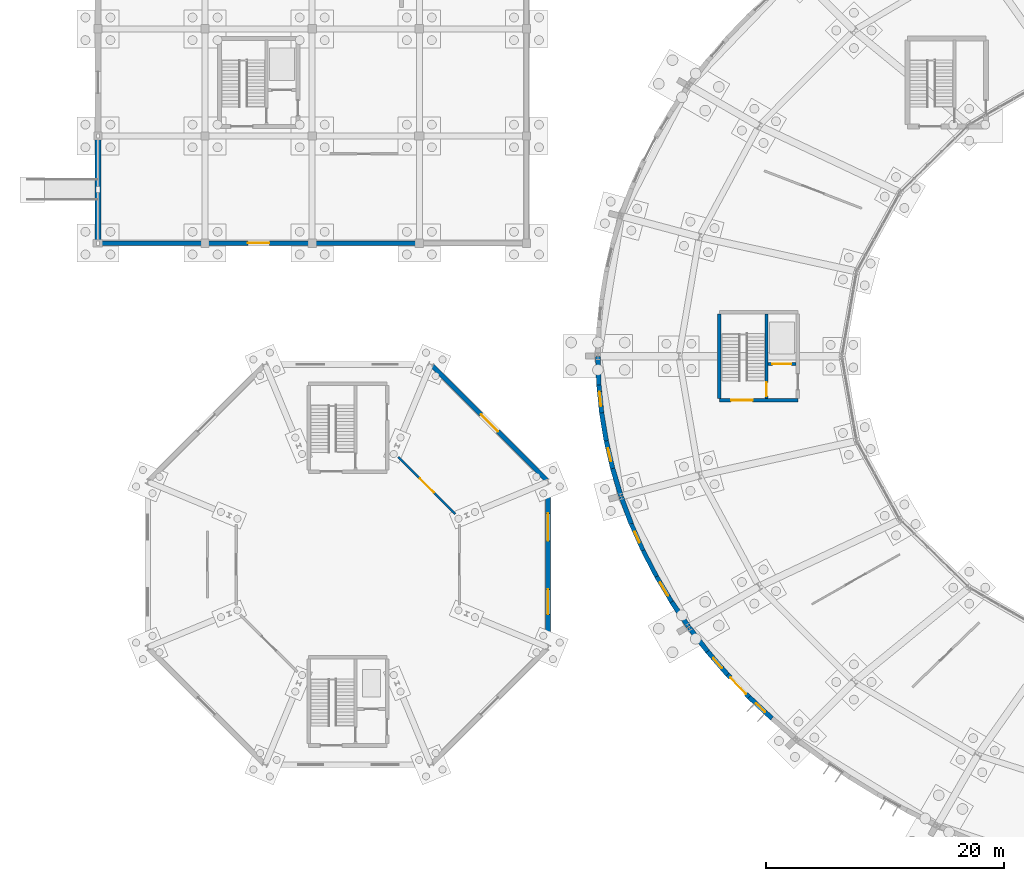
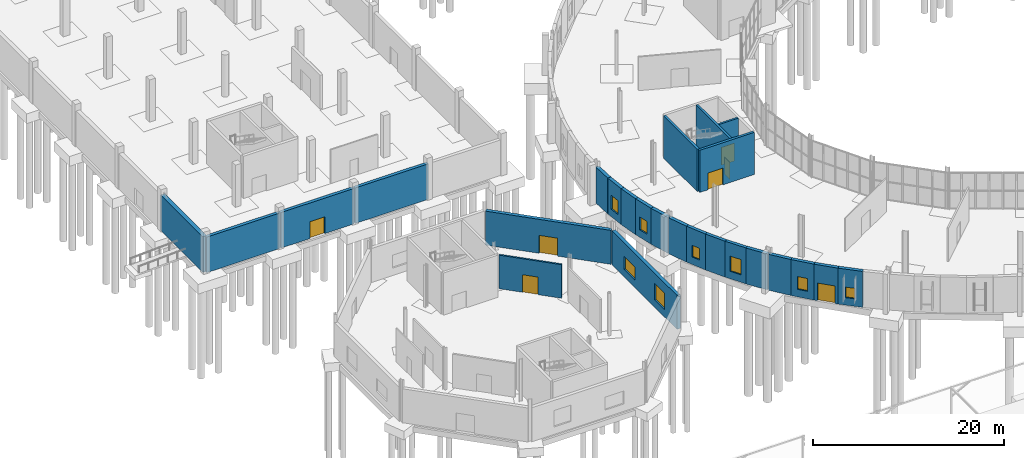
# One storey, part 87 of 118: 25 walls, 8 windows, 7 doors, 15 openings.
"""IFC4 building model written with IfcOpenShell, lengths in metres."""

from ifc_helpers import new_model, si_unit, direction, frame, frame_2d, origin, place, context, subcontext, project, spatial, rectangle, extrude, material, layer, layer_set, type_object, element, fill, save


model = new_model("IFC4")

# Units and contexts
model_context = context("Model", 3, precision=1e-05, world=origin(), true_north=direction((0.0, 1.0)))
body_context = subcontext(model_context, "Body", "Model", "MODEL_VIEW")
ifc_project = project(units=[si_unit("LENGTHUNIT", "METRE"), si_unit("AREAUNIT", "SQUARE_METRE"), si_unit("VOLUMEUNIT", "CUBIC_METRE"), si_unit("PLANEANGLEUNIT", "RADIAN"), si_unit("MASSUNIT", "GRAM", prefix="KILO")], contexts=[model_context])

# Site, building, storey
site_placement = place(None, origin())
site = spatial("IfcSite", under=ifc_project, at=site_placement, CompositionType="ELEMENT")
building_placement = place(site_placement, origin())
building = spatial("IfcBuilding", under=site, at=building_placement, Name="Kildeholm Park Wholesale Market", CompositionType="ELEMENT")
storey_placement = place(building_placement, origin())
storey = spatial("IfcBuildingStorey", under=building, at=storey_placement, Name="L00", CompositionType="ELEMENT", Elevation=0.0)

# Wall
ifc_material_1 = material(Name="Precast concrete C40/50 insulated cold-store envelope wall", Category="concrete")
ifc_layer_1 = layer(ifc_material_1, 0.3798828125)
ifc_layer_set_1 = layer_set([ifc_layer_1], Name="Precast concrete C40/50 insulated cold-store envelope wall")
wall_type_1 = type_object("IfcWallType", Name="Exterior wall W-CS1 380 mm", PredefinedType="SOLIDWALL", material=ifc_layer_set_1)
wall_1_placement = place(storey_placement, frame((0.06005859375, 99.0, 0.0), z_axis=(0.0, 0.0, 1.0), x_axis=(1.0, 0.0, 0.0)))
element("IfcWall", 1, at=wall_1_placement, inside=storey, type_object=wall_type_1, Name="Exterior wall V4WS-L00.1 WL-0401", PredefinedType="SOLIDWALL", context=body_context, shape_type="SweptSolid", body=[
    extrude(rectangle(XDim=8.8798828125, YDim=0.3798828125, at=frame_2d((4.43994140625, 0.0))), origin(), (0.0, 0.0, 1.0), 4.550048828125),
])

# Wall, opening, door
wall_2_placement = place(storey_placement, frame((9.06005859375, 99.0, 0.0), z_axis=(0.0, 0.0, 1.0), x_axis=(1.0, 0.0, 0.0)))
wall_2 = element("IfcWall", 2, at=wall_2_placement, inside=storey, type_object=wall_type_1, Name="Exterior wall V4WS-L00.2 WL-0402", PredefinedType="SOLIDWALL", context=body_context, shape_type="SweptSolid", body=[
    extrude(rectangle(XDim=8.8798828125, YDim=0.3798828125, at=frame_2d((4.43994140625, 0.0))), origin(), (0.0, 0.0, 1.0), 4.550048828125),
])
opening_1_placement = place(wall_2_placement, frame((3.5400390625, 0.0, 0.0)))
opening_1 = element("IfcOpeningElement", 3, at=opening_1_placement, cuts=wall_2, Name="Opening D-EX05", PredefinedType="OPENING", context=body_context, shape_type="SweptSolid", body=[
    extrude(rectangle(XDim=1.800048828125, YDim=2.14990234375, at=frame_2d((0.89990234375, 1.074951171875))), frame((0.0, 0.199951171875, 0.0), z_axis=(0.0, -1.0, 0.0), x_axis=(1.0, 0.0, 0.0)), (0.0, 0.0, 1.0), 0.39990234375),
])
ifc_material_2 = material(Name="Painted galvanized steel escape doorset", Category="steel")
door_type_1 = type_object("IfcDoorType", Name="Exterior door D-EX05 1800x2150", OperationType="NOTDEFINED", PredefinedType="DOOR", material=ifc_material_2)
door_1_placement = place(opening_1_placement, frame((1.800048828125, 0.0, 0.0), z_axis=(0.0, 0.0, 1.0), x_axis=(-1.0, 0.0, 0.0)))
door_1 = element("IfcDoor", 4, at=door_1_placement, inside=storey, type_object=door_type_1, Name="Door V4WS-L00.2 DR-0037 WL-0402", OperationType="DOUBLE_DOOR_SINGLE_SWING", OverallHeight=2.14990234375, OverallWidth=1.800048828125, PredefinedType="DOOR", context=body_context, shape_type="SweptSolid", body=[
    extrude(rectangle(XDim=1.800048828125, YDim=2.14990234375, at=frame_2d((0.89990234375, 1.074951171875))), frame((0.0, 0.02490234375, 0.0), z_axis=(0.0, -1.0, 0.0), x_axis=(1.0, 0.0, 0.0)), (0.0, 0.0, 1.0), 0.050048828125),
])
fill(opening_1, door_1)

# Walls
wall_3_placement = place(storey_placement, frame((18.06005859375, 99.0, 0.0), z_axis=(0.0, 0.0, 1.0), x_axis=(1.0, 0.0, 0.0)))
element("IfcWall", 5, at=wall_3_placement, inside=storey, type_object=wall_type_1, Name="Exterior wall V4WS-L00.3 WL-0403", PredefinedType="SOLIDWALL", context=body_context, shape_type="SweptSolid", body=[
    extrude(rectangle(XDim=8.8798828125, YDim=0.3798828125, at=frame_2d((4.43994140625, 0.0))), origin(), (0.0, 0.0, 1.0), 4.550048828125),
])
ifc_material_3 = material(Name="Precast concrete C40/50 deep-freeze thermal envelope wall", Category="concrete")
ifc_layer_2 = layer(ifc_material_3, 0.47998046875)
ifc_layer_set_2 = layer_set([ifc_layer_2], Name="Precast concrete C40/50 deep-freeze thermal envelope wall")
wall_type_2 = type_object("IfcWallType", Name="Exterior wall W-CS2 480 mm", PredefinedType="SOLIDWALL", material=ifc_layer_set_2)
wall_4_placement = place(storey_placement, frame((0.0, 99.06005859375, 0.0), z_axis=(0.0, 0.0, 1.0), x_axis=(0.0, 1.0, 0.0)))
element("IfcWall", 6, at=wall_4_placement, inside=storey, type_object=wall_type_2, Name="Exterior wall V4W-L00.1 WL-0377", PredefinedType="SOLIDWALL", context=body_context, shape_type="SweptSolid", body=[
    extrude(rectangle(XDim=8.8798828125, YDim=0.47998046875, at=frame_2d((4.43994140625, 0.0))), origin(), (0.0, 0.0, 1.0), 4.550048828125),
])

# Wall, opening, window
ifc_material_4 = material(Name="Red Danish clinker brick masonry with Concrete C35/45 backing", Category="masonry")
ifc_layer_3 = layer(ifc_material_4, 0.360107421875)
ifc_layer_set_3 = layer_set([ifc_layer_3], Name="Red Danish clinker brick masonry with Concrete C35/45 backing")
wall_type_3 = type_object("IfcWallType", Name="Exterior wall W-EX1 360 mm", PredefinedType="SOLIDWALL", material=ifc_layer_set_3)
wall_5_placement = place(storey_placement, frame((44.799072265625, 75.41796875, 0.0), z_axis=(0.0, 0.0, 1.0), x_axis=(0.405609389351, -0.914046510453, 0.0)))
wall_5 = element("IfcWall", 7, at=wall_5_placement, inside=storey, type_object=wall_type_3, Name="Produce ring outer wall 14.2 WL-0109", PredefinedType="SOLIDWALL", context=body_context, shape_type="SweptSolid", body=[
    extrude(rectangle(XDim=2.440673828125, YDim=0.360107421875, at=frame_2d((1.22021484375, 0.0))), origin(), (0.0, 0.0, 1.0), 4.60009765625),
])
opening_2_placement = place(wall_5_placement, frame((0.719970703125, 0.0, 0.949951171875)))
opening_2 = element("IfcOpeningElement", 8, at=opening_2_placement, cuts=wall_5, Name="Opening WN-09", PredefinedType="OPENING", context=body_context, shape_type="SweptSolid", body=[
    extrude(rectangle(XDim=1.0, YDim=1.5, at=frame_2d((0.5, 0.75))), frame((0.0, 0.18994140625, 0.0), z_axis=(0.0, -1.0, 0.0), x_axis=(1.0, 0.0, 0.0)), (0.0, 0.0, 1.0), 0.380126953125),
])
ifc_material_5 = material(Name="Thermally broken aluminium and triple-glazed low-E glass", Category="aluminium")
window_type_1 = type_object("IfcWindowType", Name="Window WN-09 1000x1500", PartitioningType="SINGLE_PANEL", PredefinedType="WINDOW", material=ifc_material_5)
window_1_placement = place(opening_2_placement, origin())
window_1 = element("IfcWindow", 9, at=window_1_placement, inside=storey, type_object=window_type_1, Name="Produce hall arcade window 14.1 WIN-0023", OverallHeight=1.5, OverallWidth=1.0, PartitioningType="SINGLE_PANEL", PredefinedType="WINDOW", context=body_context, shape_type="SweptSolid", body=[
    extrude(rectangle(XDim=1.0, YDim=1.5, at=frame_2d((0.5, 0.75))), frame((0.0, 0.030029296875, 0.0), z_axis=(0.0, -1.0, 0.0), x_axis=(1.0, 0.0, 0.0)), (0.0, 0.0, 1.0), 0.06005859375),
])
fill(opening_2, window_1)

# Wall
wall_6_placement = place(storey_placement, frame((45.7890625, 73.18701171875, 0.0), z_axis=(0.0, 0.0, 1.0), x_axis=(0.460800257055, -0.88750387216, 0.0)))
element("IfcWall", 10, at=wall_6_placement, inside=storey, type_object=wall_type_3, Name="Produce ring outer wall 14.3 WL-0110", PredefinedType="SOLIDWALL", context=body_context, shape_type="SweptSolid", body=[
    extrude(rectangle(XDim=2.463134765625, YDim=0.360107421875, at=frame_2d((1.2314453125, 0.0))), origin(), (0.0, 0.0, 1.0), 4.60009765625),
])

# Wall, opening, window
wall_7_placement = place(storey_placement, frame((46.924072265625, 71.0009765625, 0.0), z_axis=(0.0, 0.0, 1.0), x_axis=(0.512344316931, -0.858780123727, 0.0)))
wall_7 = element("IfcWall", 11, at=wall_7_placement, inside=storey, type_object=wall_type_3, Name="Produce ring outer wall 14.4 WL-0111", PredefinedType="SOLIDWALL", context=body_context, shape_type="SweptSolid", body=[
    extrude(rectangle(XDim=2.48828125, YDim=0.360107421875, at=frame_2d((1.244140625, 0.0))), origin(), (0.0, 0.0, 1.0), 4.60009765625),
])
opening_3_placement = place(wall_7_placement, frame((0.593994140625, 0.0, 0.949951171875)))
opening_3 = element("IfcOpeningElement", 12, at=opening_3_placement, cuts=wall_7, Name="Opening WN-20", PredefinedType="OPENING", context=body_context, shape_type="SweptSolid", body=[
    extrude(rectangle(XDim=1.300048828125, YDim=1.949951171875, at=frame_2d((0.64990234375, 0.97509765625))), frame((0.0, 0.18994140625, 0.0), z_axis=(0.0, -1.0, 0.0), x_axis=(1.0, 0.0, 0.0)), (0.0, 0.0, 1.0), 0.380126953125),
])
window_type_2 = type_object("IfcWindowType", Name="Window WN-20 1300x1950", PartitioningType="DOUBLE_PANEL_VERTICAL", PredefinedType="WINDOW", material=ifc_material_5)
window_2_placement = place(opening_3_placement, origin())
window_2 = element("IfcWindow", 13, at=window_2_placement, inside=storey, type_object=window_type_2, Name="Produce hall arcade window 14.3 WIN-0024", OverallHeight=1.949951171875, OverallWidth=1.300048828125, PartitioningType="SINGLE_PANEL", PredefinedType="WINDOW", context=body_context, shape_type="SweptSolid", body=[
    extrude(rectangle(XDim=1.300048828125, YDim=1.949951171875, at=frame_2d((0.64990234375, 0.97509765625))), frame((0.0, 0.030029296875, 0.0), z_axis=(0.0, -1.0, 0.0), x_axis=(1.0, 0.0, 0.0)), (0.0, 0.0, 1.0), 0.06005859375),
])
fill(opening_3, window_2)

# Walls
ifc_material_6 = material(Name="Bornholm granite stone plinth and Concrete C35/45 wall", Category="masonry")
ifc_layer_4 = layer(ifc_material_6, 0.39990234375)
ifc_layer_set_4 = layer_set([ifc_layer_4], Name="Bornholm granite stone plinth and Concrete C35/45 wall")
wall_type_4 = type_object("IfcWallType", Name="Exterior wall W-EX2 400 mm", PredefinedType="SOLIDWALL", material=ifc_layer_set_4)
wall_8_placement = place(storey_placement, frame((42.0, 89.4599609375, 0.0), z_axis=(0.0, 0.0, 1.0), x_axis=(0.033840418878, -0.999427249003, 0.0)))
element("IfcWall", 14, at=wall_8_placement, inside=storey, type_object=wall_type_4, Name="Produce ring outer wall 13.1 WL-0099", PredefinedType="SOLIDWALL", context=body_context, shape_type="SweptSolid", body=[
    extrude(rectangle(XDim=2.366455078125, YDim=0.39990234375, at=frame_2d((1.18310546875, 0.0))), origin(), (0.0, 0.0, 1.0), 4.60009765625),
])
wall_9_placement = place(storey_placement, frame((43.239013671875, 80.06298828125, 0.0), z_axis=(0.0, 0.0, 1.0), x_axis=(0.287208023904, -0.95786823259, 0.0)))
element("IfcWall", 15, at=wall_9_placement, inside=storey, type_object=wall_type_4, Name="Produce ring outer wall 13.5 WL-0103", PredefinedType="SOLIDWALL", context=body_context, shape_type="SweptSolid", body=[
    extrude(rectangle(XDim=2.40234375, YDim=0.39990234375, at=frame_2d((1.201171875, 0.0))), origin(), (0.0, 0.0, 1.0), 4.60009765625),
])
wall_10_placement = place(storey_placement, frame((43.955078125, 77.68701171875, 0.0), z_axis=(0.0, 0.0, 1.0), x_axis=(0.348624527721, -0.937262470534, 0.0)))
element("IfcWall", 16, at=wall_10_placement, inside=storey, type_object=wall_type_4, Name="Produce ring outer wall 14.1 WL-0108", PredefinedType="SOLIDWALL", context=body_context, shape_type="SweptSolid", body=[
    extrude(rectangle(XDim=2.4208984375, YDim=0.39990234375, at=frame_2d((1.21044921875, 0.0))), origin(), (0.0, 0.0, 1.0), 4.60009765625),
])
wall_11_placement = place(storey_placement, frame((48.198974609375, 68.864013671875, 0.0), z_axis=(0.0, 0.0, 1.0), x_axis=(0.561757719856, -0.827301797521, 0.0)))
element("IfcWall", 17, at=wall_11_placement, inside=storey, type_object=wall_type_4, Name="Produce ring outer wall 14.5 WL-0112", PredefinedType="SOLIDWALL", context=body_context, shape_type="SweptSolid", body=[
    extrude(rectangle(XDim=2.515380859375, YDim=0.39990234375, at=frame_2d((1.2578125, 0.0))), origin(), (0.0, 0.0, 1.0), 4.60009765625),
])
wall_12_placement = place(storey_placement, frame((49.658935546875, 66.718017578125, 0.0), z_axis=(0.0, 0.0, 1.0), x_axis=(0.609808109702, -0.792549095856, 0.0)))
element("IfcWall", 18, at=wall_12_placement, inside=storey, type_object=wall_type_4, Name="Produce ring outer wall 15.1 WL-0117", PredefinedType="SOLIDWALL", context=body_context, shape_type="SweptSolid", body=[
    extrude(rectangle(XDim=2.545166015625, YDim=0.39990234375, at=frame_2d((1.2724609375, 0.0))), origin(), (0.0, 0.0, 1.0), 4.60009765625),
])

# Wall, opening, door
wall_13_placement = place(storey_placement, frame((37.716064453125, 79.06396484375, 0.0), z_axis=(0.0, 0.0, 1.0), x_axis=(-0.707106781187, 0.707106781187, 0.0)))
wall_13 = element("IfcWall", 19, at=wall_13_placement, inside=storey, type_object=wall_type_4, Name="Auction pavilion facet wall 1 WL-0309", PredefinedType="SOLIDWALL", context=body_context, shape_type="SweptSolid", body=[
    extrude(rectangle(XDim=13.650146484375, YDim=0.39990234375, at=frame_2d((6.8251953125, 0.0))), origin(), (0.0, 0.0, 1.0), 4.35009765625),
])
opening_4_placement = place(wall_13_placement, frame((5.824951171875, 0.0, 0.0)))
opening_4 = element("IfcOpeningElement", 20, at=opening_4_placement, cuts=wall_13, Name="Opening D-EX02", PredefinedType="OPENING", context=body_context, shape_type="SweptSolid", body=[
    extrude(rectangle(XDim=2.0, YDim=2.300048828125, at=frame_2d((1.0, 1.14990234375))), frame((0.0, 0.2099609375, 0.0), z_axis=(0.0, -1.0, 0.0), x_axis=(1.0, 0.0, 0.0)), (0.0, 0.0, 1.0), 0.419921875),
])
ifc_material_7 = material(Name="Anodised aluminium and safety glass", Category="aluminium")
door_type_2 = type_object("IfcDoorType", Name="Exterior door D-EX02 2000x2300", OperationType="NOTDEFINED", PredefinedType="DOOR", material=ifc_material_7)
door_2_placement = place(opening_4_placement, frame((2.0, 0.0, 0.0), z_axis=(0.0, 0.0, 1.0), x_axis=(-1.0, 0.0, 0.0)))
door_2 = element("IfcDoor", 21, at=door_2_placement, inside=storey, type_object=door_type_2, Name="Auction pavilion exit door 1 DR-0015 WL-0309", OperationType="DOUBLE_DOOR_SINGLE_SWING", OverallHeight=2.300048828125, OverallWidth=2.0, PredefinedType="DOOR", context=body_context, shape_type="SweptSolid", body=[
    extrude(rectangle(XDim=2.0, YDim=2.300048828125, at=frame_2d((1.0, 1.14990234375))), frame((0.0, 0.02490234375, 0.0), z_axis=(0.0, -1.0, 0.0), x_axis=(1.0, 0.0, 0.0)), (0.0, 0.0, 1.0), 0.050048828125),
])
fill(opening_4, door_2)

# Wall, openings, windows
wall_14_placement = place(storey_placement, frame((37.81494140625, 65.175048828125, 0.0), z_axis=(0.0, 0.0, 1.0), x_axis=(0.0, 1.0, 0.0)))
wall_14 = element("IfcWall", 22, at=wall_14_placement, inside=storey, type_object=wall_type_4, Name="Auction pavilion facet wall 8 WL-0316", PredefinedType="SOLIDWALL", context=body_context, shape_type="SweptSolid", body=[
    extrude(rectangle(XDim=13.64990234375, YDim=0.39990234375, at=frame_2d((6.824951171875, 0.0))), origin(), (0.0, 0.0, 1.0), 4.35009765625),
])
opening_5_placement = place(wall_14_placement, frame((2.635986328125, 0.0, 0.949951171875)))
opening_5 = element("IfcOpeningElement", 23, at=opening_5_placement, cuts=wall_14, Name="Opening WN-03", PredefinedType="OPENING", context=body_context, shape_type="SweptSolid", body=[
    extrude(rectangle(XDim=2.10009765625, YDim=2.10009765625, at=frame_2d((1.050048828125, 1.050048828125))), frame((0.0, 0.2099609375, 0.0), z_axis=(0.0, -1.0, 0.0), x_axis=(1.0, 0.0, 0.0)), (0.0, 0.0, 1.0), 0.419921875),
])
opening_6_placement = place(wall_14_placement, frame((8.81494140625, 0.0, 0.949951171875)))
opening_6 = element("IfcOpeningElement", 24, at=opening_6_placement, cuts=wall_14, Name="Opening WN-23", PredefinedType="OPENING", context=body_context, shape_type="SweptSolid", body=[
    extrude(rectangle(XDim=2.300048828125, YDim=1.64990234375, at=frame_2d((1.14990234375, 0.824951171875))), frame((0.0, 0.2099609375, 0.0), z_axis=(0.0, -1.0, 0.0), x_axis=(1.0, 0.0, 0.0)), (0.0, 0.0, 1.0), 0.419921875),
])
window_type_3 = type_object("IfcWindowType", Name="Window WN-03 2100x2100", PartitioningType="TRIPLE_PANEL_VERTICAL", PredefinedType="WINDOW", material=ifc_material_5)
window_3_placement = place(opening_5_placement, origin())
window_3 = element("IfcWindow", 25, at=window_3_placement, inside=storey, type_object=window_type_3, Name="Auction facet window 8A WIN-0097", OverallHeight=2.10009765625, OverallWidth=2.10009765625, PartitioningType="SINGLE_PANEL", PredefinedType="WINDOW", context=body_context, shape_type="SweptSolid", body=[
    extrude(rectangle(XDim=2.10009765625, YDim=2.10009765625, at=frame_2d((1.050048828125, 1.050048828125))), frame((0.0, 0.030029296875, 0.0), z_axis=(0.0, -1.0, 0.0), x_axis=(1.0, 0.0, 0.0)), (0.0, 0.0, 1.0), 0.06005859375),
])
fill(opening_5, window_3)
window_type_4 = type_object("IfcWindowType", Name="Window WN-23 2300x1650", PartitioningType="TRIPLE_PANEL_VERTICAL", PredefinedType="WINDOW", material=ifc_material_5)
window_4_placement = place(opening_6_placement, origin())
window_4 = element("IfcWindow", 26, at=window_4_placement, inside=storey, type_object=window_type_4, Name="Auction facet window 8B WIN-0098", OverallHeight=1.64990234375, OverallWidth=2.300048828125, PartitioningType="SINGLE_PANEL", PredefinedType="WINDOW", context=body_context, shape_type="SweptSolid", body=[
    extrude(rectangle(XDim=2.300048828125, YDim=1.64990234375, at=frame_2d((1.14990234375, 0.824951171875))), frame((0.0, 0.030029296875, 0.0), z_axis=(0.0, -1.0, 0.0), x_axis=(1.0, 0.0, 0.0)), (0.0, 0.0, 1.0), 0.06005859375),
])
fill(opening_6, window_4)

# Wall, opening, window
ifc_material_8 = material(Name="Bornholm granite and ceramic-banded hall facade wall", Category="masonry")
ifc_layer_5 = layer(ifc_material_8, 0.389892578125)
ifc_layer_set_5 = layer_set([ifc_layer_5], Name="Bornholm granite and ceramic-banded hall facade wall")
wall_type_5 = type_object("IfcWallType", Name="Exterior wall W-EX5 390 mm", PredefinedType="SOLIDWALL", material=ifc_layer_set_5)
wall_15_placement = place(storey_placement, frame((42.080078125, 87.094970703125, 0.0), z_axis=(0.0, 0.0, 1.0), x_axis=(0.0982595143, -0.995160825118, 0.0)))
wall_15 = element("IfcWall", 27, at=wall_15_placement, inside=storey, type_object=wall_type_5, Name="Produce ring outer wall 13.2 WL-0100", PredefinedType="SOLIDWALL", context=body_context, shape_type="SweptSolid", body=[
    extrude(rectangle(XDim=2.370361328125, YDim=0.389892578125, at=frame_2d((1.18505859375, 0.0))), origin(), (0.0, 0.0, 1.0), 4.60009765625),
])
opening_7_placement = place(wall_15_placement, frame((0.5849609375, 0.0, 0.949951171875)))
opening_7 = element("IfcOpeningElement", 28, at=opening_7_placement, cuts=wall_15, Name="Opening WN-05", PredefinedType="OPENING", context=body_context, shape_type="SweptSolid", body=[
    extrude(rectangle(XDim=1.199951171875, YDim=1.800048828125, at=frame_2d((0.60009765625, 0.89990234375))), frame((0.0, 0.204833984375, 0.0), z_axis=(0.0, -1.0, 0.0), x_axis=(1.0, 0.0, 0.0)), (0.0, 0.0, 1.0), 0.409912109375),
])
window_type_5 = type_object("IfcWindowType", Name="Window WN-05 1200x1800", PartitioningType="SINGLE_PANEL", PredefinedType="WINDOW", material=ifc_material_5)
window_5_placement = place(opening_7_placement, origin())
window_5 = element("IfcWindow", 29, at=window_5_placement, inside=storey, type_object=window_type_5, Name="Produce hall arcade window 13.1 WIN-0021", OverallHeight=1.800048828125, OverallWidth=1.199951171875, PartitioningType="SINGLE_PANEL", PredefinedType="WINDOW", context=body_context, shape_type="SweptSolid", body=[
    extrude(rectangle(XDim=1.199951171875, YDim=1.800048828125, at=frame_2d((0.60009765625, 0.89990234375))), frame((0.0, 0.030029296875, 0.0), z_axis=(0.0, -1.0, 0.0), x_axis=(1.0, 0.0, 0.0)), (0.0, 0.0, 1.0), 0.06005859375),
])
fill(opening_7, window_5)

# Wall
wall_16_placement = place(storey_placement, frame((42.31298828125, 84.736083984375, 0.0), z_axis=(0.0, 0.0, 1.0), x_axis=(0.162733815116, -0.98667000837, 0.0)))
element("IfcWall", 30, at=wall_16_placement, inside=storey, type_object=wall_type_5, Name="Produce ring outer wall 13.3 WL-0101", PredefinedType="SOLIDWALL", context=body_context, shape_type="SweptSolid", body=[
    extrude(rectangle(XDim=2.3779296875, YDim=0.389892578125, at=frame_2d((1.18896484375, 0.0))), origin(), (0.0, 0.0, 1.0), 4.60009765625),
])

# Wall, opening, window
wall_17_placement = place(storey_placement, frame((42.699951171875, 82.389892578125, 0.0), z_axis=(0.0, 0.0, 1.0), x_axis=(0.225688046165, -0.974199623187, 0.0)))
wall_17 = element("IfcWall", 31, at=wall_17_placement, inside=storey, type_object=wall_type_5, Name="Produce ring outer wall 13.4 WL-0102", PredefinedType="SOLIDWALL", context=body_context, shape_type="SweptSolid", body=[
    extrude(rectangle(XDim=2.388427734375, YDim=0.389892578125, at=frame_2d((1.1943359375, 0.0))), origin(), (0.0, 0.0, 1.0), 4.60009765625),
])
opening_8_placement = place(wall_17_placement, frame((0.64404296875, 0.0, 0.949951171875)))
opening_8 = element("IfcOpeningElement", 32, at=opening_8_placement, cuts=wall_17, Name="Opening WN-19", PredefinedType="OPENING", context=body_context, shape_type="SweptSolid", body=[
    extrude(rectangle(XDim=1.10009765625, YDim=1.64990234375, at=frame_2d((0.550048828125, 0.824951171875))), frame((0.0, 0.204833984375, 0.0), z_axis=(0.0, -1.0, 0.0), x_axis=(1.0, 0.0, 0.0)), (0.0, 0.0, 1.0), 0.409912109375),
])
window_type_6 = type_object("IfcWindowType", Name="Window WN-19 1100x1650", PartitioningType="SINGLE_PANEL", PredefinedType="WINDOW", material=ifc_material_5)
window_6_placement = place(opening_8_placement, origin())
window_6 = element("IfcWindow", 33, at=window_6_placement, inside=storey, type_object=window_type_6, Name="Produce hall arcade window 13.3 WIN-0022", OverallHeight=1.64990234375, OverallWidth=1.10009765625, PartitioningType="SINGLE_PANEL", PredefinedType="WINDOW", context=body_context, shape_type="SweptSolid", body=[
    extrude(rectangle(XDim=1.10009765625, YDim=1.64990234375, at=frame_2d((0.550048828125, 0.824951171875))), frame((0.0, 0.030029296875, 0.0), z_axis=(0.0, -1.0, 0.0), x_axis=(1.0, 0.0, 0.0)), (0.0, 0.0, 1.0), 0.06005859375),
])
fill(opening_8, window_6)

wall_18_placement = place(storey_placement, frame((51.2109375, 64.700927734375, 0.0), z_axis=(0.0, 0.0, 1.0), x_axis=(0.652570020316, -0.757728426671, 0.0)))
wall_18 = element("IfcWall", 34, at=wall_18_placement, inside=storey, type_object=wall_type_5, Name="Produce ring outer wall 15.2 WL-0118", PredefinedType="SOLIDWALL", context=body_context, shape_type="SweptSolid", body=[
    extrude(rectangle(XDim=2.57470703125, YDim=0.389892578125, at=frame_2d((1.287353515625, 0.0))), origin(), (0.0, 0.0, 1.0), 4.60009765625),
])
opening_9_placement = place(wall_18_placement, frame((0.737060546875, 0.0, 0.949951171875)))
opening_9 = element("IfcOpeningElement", 35, at=opening_9_placement, cuts=wall_18, Name="Opening WN-19", PredefinedType="OPENING", context=body_context, shape_type="SweptSolid", body=[
    extrude(rectangle(XDim=1.10009765625, YDim=1.64990234375, at=frame_2d((0.550048828125, 0.824951171875))), frame((0.0, 0.204833984375, 0.0), z_axis=(0.0, -1.0, 0.0), x_axis=(1.0, 0.0, 0.0)), (0.0, 0.0, 1.0), 0.409912109375),
])
window_7_placement = place(opening_9_placement, origin())
window_7 = element("IfcWindow", 36, at=window_7_placement, inside=storey, type_object=window_type_6, Name="Produce hall arcade window 15.1 WIN-0025", OverallHeight=1.64990234375, OverallWidth=1.10009765625, PartitioningType="SINGLE_PANEL", PredefinedType="WINDOW", context=body_context, shape_type="SweptSolid", body=[
    extrude(rectangle(XDim=1.10009765625, YDim=1.64990234375, at=frame_2d((0.550048828125, 0.824951171875))), frame((0.0, 0.030029296875, 0.0), z_axis=(0.0, -1.0, 0.0), x_axis=(1.0, 0.0, 0.0)), (0.0, 0.0, 1.0), 0.06005859375),
])
fill(opening_9, window_7)

# Wall, opening, door
wall_19_placement = place(storey_placement, frame((52.89111328125, 62.75, 0.0), z_axis=(0.0, 0.0, 1.0), x_axis=(0.693149914462, -0.720793448972, 0.0)))
wall_19 = element("IfcWall", 37, at=wall_19_placement, inside=storey, type_object=wall_type_5, Name="Produce ring outer wall 15.3 WL-0119", PredefinedType="SOLIDWALL", context=body_context, shape_type="SweptSolid", body=[
    extrude(rectangle(XDim=2.60546875, YDim=0.389892578125, at=frame_2d((1.302734375, 0.0))), origin(), (0.0, 0.0, 1.0), 4.60009765625),
])
opening_10_placement = place(wall_19_placement, frame((0.35302734375, 0.0, 0.0)))
opening_10 = element("IfcOpeningElement", 38, at=opening_10_placement, cuts=wall_19, Name="Opening D-EX09", PredefinedType="OPENING", context=body_context, shape_type="SweptSolid", body=[
    extrude(rectangle(XDim=1.89990234375, YDim=2.25, at=frame_2d((0.949951171875, 1.125))), frame((0.0, 0.204833984375, 0.0), z_axis=(0.0, -1.0, 0.0), x_axis=(1.0, 0.0, 0.0)), (0.0, 0.0, 1.0), 0.409912109375),
])
ifc_material_9 = material(Name="Anodised aluminium hall double entrance", Category="aluminium")
door_type_3 = type_object("IfcDoorType", Name="Exterior door D-EX09 1900x2250", OperationType="NOTDEFINED", PredefinedType="DOOR", material=ifc_material_9)
door_3_placement = place(opening_10_placement, frame((1.89990234375, 0.0, 0.0), z_axis=(0.0, 0.0, 1.0), x_axis=(-1.0, 0.0, 0.0)))
door_3 = element("IfcDoor", 39, at=door_3_placement, inside=storey, type_object=door_type_3, Name="Produce hall public exit 15 DR-0006 WL-0119", OperationType="DOUBLE_DOOR_SINGLE_SWING", OverallHeight=2.25, OverallWidth=1.89990234375, PredefinedType="DOOR", context=body_context, shape_type="SweptSolid", body=[
    extrude(rectangle(XDim=1.89990234375, YDim=2.25, at=frame_2d((0.949951171875, 1.125))), frame((0.0, 0.02490234375, 0.0), z_axis=(0.0, -1.0, 0.0), x_axis=(1.0, 0.0, 0.0)), (0.0, 0.0, 1.0), 0.050048828125),
])
fill(opening_10, door_3)

# Wall, opening, window
wall_20_placement = place(storey_placement, frame((54.697021484375, 60.8720703125, 0.0), z_axis=(0.0, 0.0, 1.0), x_axis=(0.730238623616, -0.683192178366, 0.0)))
wall_20 = element("IfcWall", 40, at=wall_20_placement, inside=storey, type_object=wall_type_5, Name="Produce ring outer wall 15.4 WL-0120", PredefinedType="SOLIDWALL", context=body_context, shape_type="SweptSolid", body=[
    extrude(rectangle(XDim=2.63623046875, YDim=0.389892578125, at=frame_2d((1.318115234375, 0.0))), origin(), (0.0, 0.0, 1.0), 4.60009765625),
])
opening_11_placement = place(wall_20_placement, frame((0.79296875, 0.0, 0.949951171875)))
opening_11 = element("IfcOpeningElement", 41, at=opening_11_placement, cuts=wall_20, Name="Opening WN-26", PredefinedType="OPENING", context=body_context, shape_type="SweptSolid", body=[
    extrude(rectangle(XDim=1.050048828125, YDim=1.35009765625, at=frame_2d((0.52490234375, 0.675048828125))), frame((0.0, 0.204833984375, 0.0), z_axis=(0.0, -1.0, 0.0), x_axis=(1.0, 0.0, 0.0)), (0.0, 0.0, 1.0), 0.409912109375),
])
window_type_7 = type_object("IfcWindowType", Name="Window WN-26 1050x1350", PartitioningType="SINGLE_PANEL", PredefinedType="WINDOW", material=ifc_material_5)
window_8_placement = place(opening_11_placement, origin())
window_8 = element("IfcWindow", 42, at=window_8_placement, inside=storey, type_object=window_type_7, Name="Produce hall arcade window 15.3 WIN-0026", OverallHeight=1.35009765625, OverallWidth=1.050048828125, PartitioningType="SINGLE_PANEL", PredefinedType="WINDOW", context=body_context, shape_type="SweptSolid", body=[
    extrude(rectangle(XDim=1.050048828125, YDim=1.35009765625, at=frame_2d((0.52490234375, 0.675048828125))), frame((0.0, 0.030029296875, 0.0), z_axis=(0.0, -1.0, 0.0), x_axis=(1.0, 0.0, 0.0)), (0.0, 0.0, 1.0), 0.06005859375),
])
fill(opening_11, window_8)

# Wall, opening, door
ifc_material_10 = material(Name="Acoustic auction bowl surround wall")
ifc_layer_6 = layer(ifc_material_10, 0.195068359375)
ifc_layer_set_6 = layer_set([ifc_layer_6], Name="Acoustic auction bowl surround wall")
wall_type_6 = type_object("IfcWallType", Name="Partition W-PT07 195 mm", PredefinedType="PARTITIONING", material=ifc_layer_set_6)
wall_21_placement = place(storey_placement, frame((30.02490234375, 76.239013671875, 0.0), z_axis=(0.0, 0.0, 1.0), x_axis=(-0.707106781187, 0.707106781187, 0.0)))
wall_21 = element("IfcWall", 43, at=wall_21_placement, inside=storey, type_object=wall_type_6, Name="Interior partition W-V3-BWL-00 WL-0964", PredefinedType="PARTITIONING", context=body_context, shape_type="SweptSolid", body=[
    extrude(rectangle(XDim=6.768310546875, YDim=0.195068359375, at=frame_2d((3.38427734375, 0.0))), origin(), (0.0, 0.0, 1.0), 4.300048828125),
])
opening_12_placement = place(wall_21_placement, frame((2.55908203125, 0.0, 0.0)))
opening_12 = element("IfcOpeningElement", 44, at=opening_12_placement, cuts=wall_21, Name="Opening D-IN06", PredefinedType="OPENING", context=body_context, shape_type="SweptSolid", body=[
    extrude(rectangle(XDim=1.64990234375, YDim=2.25, at=frame_2d((0.824951171875, 1.125))), frame((0.0, 0.107421875, 0.0), z_axis=(0.0, -1.0, 0.0), x_axis=(1.0, 0.0, 0.0)), (0.0, 0.0, 1.0), 0.215087890625),
])
ifc_material_11 = material(Name="Double-leaf auction and community hall doorset")
door_type_4 = type_object("IfcDoorType", Name="Interior door D-IN06 1650x2250", OperationType="NOTDEFINED", PredefinedType="DOOR", material=ifc_material_11)
door_4_placement = place(opening_12_placement, origin())
door_4 = element("IfcDoor", 45, at=door_4_placement, inside=storey, type_object=door_type_4, Name="Interior door V3-BWL-00 DR-0239 WL-0964", OperationType="DOUBLE_DOOR_SINGLE_SWING", OverallHeight=2.25, OverallWidth=1.64990234375, PredefinedType="DOOR", context=body_context, shape_type="SweptSolid", body=[
    extrude(rectangle(XDim=1.64990234375, YDim=2.25, at=frame_2d((0.824951171875, 1.125))), frame((0.0, 0.02490234375, 0.0), z_axis=(0.0, -1.0, 0.0), x_axis=(1.0, 0.0, 0.0)), (0.0, 0.0, 1.0), 0.050048828125),
])
fill(opening_12, door_4)

ifc_material_12 = material(Name="Concrete C40/50", Category="concrete")
ifc_layer_7 = layer(ifc_material_12, 0.300048828125)
ifc_layer_set_7 = layer_set([ifc_layer_7], Name="Concrete C40/50")
wall_type_7 = type_object("IfcWallType", Name="Shear wall W-SH1 300 mm", PredefinedType="SHEAR", material=ifc_layer_set_7)
wall_22_placement = place(storey_placement, frame((52.199951171875, 85.800048828125, 0.0), z_axis=(0.0, 0.0, 1.0), x_axis=(1.0, 0.0, 0.0)))
wall_22 = element("IfcWall", 46, at=wall_22_placement, inside=storey, type_object=wall_type_7, Name="Core C09 south shear wall L00 WL-0810", PredefinedType="SHEAR", context=body_context, shape_type="SweptSolid", body=[
    extrude(rectangle(XDim=6.60009765625, YDim=0.300048828125, at=frame_2d((3.300048828125, 0.0))), origin(), (0.0, 0.0, 1.0), 5.39990234375),
])
opening_13_placement = place(wall_22_placement, frame((1.0, 0.0, 0.0)))
opening_13 = element("IfcOpeningElement", 47, at=opening_13_placement, cuts=wall_22, Name="Opening D-EX05", PredefinedType="OPENING", context=body_context, shape_type="SweptSolid", body=[
    extrude(rectangle(XDim=1.800048828125, YDim=2.14990234375, at=frame_2d((0.89990234375, 1.074951171875))), frame((0.0, 0.159912109375, 0.0), z_axis=(0.0, -1.0, 0.0), x_axis=(1.0, 0.0, 0.0)), (0.0, 0.0, 1.0), 0.320068359375),
])
door_5_placement = place(opening_13_placement, frame((1.800048828125, 0.0, 0.0), z_axis=(0.0, 0.0, 1.0), x_axis=(-1.0, 0.0, 0.0)))
door_5 = element("IfcDoor", 48, at=door_5_placement, inside=storey, type_object=door_type_1, Name="Core C09 grade stair discharge door DR-0158 WL-0810", OperationType="DOUBLE_DOOR_SINGLE_SWING", OverallHeight=2.14990234375, OverallWidth=1.800048828125, PredefinedType="DOOR", context=body_context, shape_type="SweptSolid", body=[
    extrude(rectangle(XDim=1.800048828125, YDim=2.14990234375, at=frame_2d((0.89990234375, 1.074951171875))), frame((0.0, 0.02490234375, 0.0), z_axis=(0.0, -1.0, 0.0), x_axis=(1.0, 0.0, 0.0)), (0.0, 0.0, 1.0), 0.050048828125),
])
fill(opening_13, door_5)

# Wall
wall_23_placement = place(storey_placement, frame((52.199951171875, 85.949951171875, 0.0), z_axis=(0.0, 0.0, 1.0), x_axis=(0.0, 1.0, 0.0)))
element("IfcWall", 49, at=wall_23_placement, inside=storey, type_object=wall_type_7, Name="Core C09 west shear wall L00 WL-0812", PredefinedType="SHEAR", context=body_context, shape_type="SweptSolid", body=[
    extrude(rectangle(XDim=7.10009765625, YDim=0.300048828125, at=frame_2d((3.550048828125, 0.0))), origin(), (0.0, 0.0, 1.0), 5.39990234375),
])

# Wall, opening, door
ifc_layer_8 = layer(ifc_material_12, 0.25)
ifc_layer_set_8 = layer_set([ifc_layer_8], Name="Concrete C40/50")
wall_type_8 = type_object("IfcWallType", Name="Shear wall W-SH2 250 mm", PredefinedType="SHEAR", material=ifc_layer_set_8)
wall_24_placement = place(storey_placement, frame((56.14990234375, 85.949951171875, 0.0), z_axis=(0.0, 0.0, 1.0), x_axis=(0.0, 1.0, 0.0)))
wall_24 = element("IfcWall", 50, at=wall_24_placement, inside=storey, type_object=wall_type_8, Name="Core C09 shaft wall L00 WL-0814", PredefinedType="SHEAR", context=body_context, shape_type="SweptSolid", body=[
    extrude(rectangle(XDim=7.10009765625, YDim=0.25, at=frame_2d((3.550048828125, 0.0))), origin(), (0.0, 0.0, 1.0), 5.39990234375),
])
opening_14_placement = place(wall_24_placement, frame((0.199951171875, 0.0, 0.0)))
opening_14 = element("IfcOpeningElement", 51, at=opening_14_placement, cuts=wall_24, Name="Opening D-CR01", PredefinedType="OPENING", context=body_context, shape_type="SweptSolid", body=[
    extrude(rectangle(XDim=1.14990234375, YDim=2.14990234375, at=frame_2d((0.574951171875, 1.074951171875))), frame((0.0, 0.135009765625, 0.0), z_axis=(0.0, -1.0, 0.0), x_axis=(1.0, 0.0, 0.0)), (0.0, 0.0, 1.0), 0.27001953125),
])
ifc_material_13 = material(Name="Painted steel fire escape doorset", Category="steel")
door_type_5 = type_object("IfcDoorType", Name="Interior door D-CR01 1150x2150", OperationType="NOTDEFINED", PredefinedType="DOOR", material=ifc_material_13)
door_6_placement = place(opening_14_placement, origin())
door_6 = element("IfcDoor", 52, at=door_6_placement, inside=storey, type_object=door_type_5, Name="Core C09 stair fire door L00 DR-0157 WL-0814", OperationType="SINGLE_SWING_RIGHT", OverallHeight=2.14990234375, OverallWidth=1.14990234375, PredefinedType="DOOR", context=body_context, shape_type="SweptSolid", body=[
    extrude(rectangle(XDim=1.14990234375, YDim=2.14990234375, at=frame_2d((0.574951171875, 1.074951171875))), frame((0.0, 0.02490234375, 0.0), z_axis=(0.0, -1.0, 0.0), x_axis=(1.0, 0.0, 0.0)), (0.0, 0.0, 1.0), 0.050048828125),
])
fill(opening_14, door_6)

wall_25_placement = place(storey_placement, frame((56.27001953125, 88.85009765625, 0.0), z_axis=(0.0, 0.0, 1.0), x_axis=(1.0, 0.0, 0.0)))
wall_25 = element("IfcWall", 53, at=wall_25_placement, inside=storey, type_object=wall_type_8, Name="Lift LF-08 shaft front wall L00 WL-0815", PredefinedType="SHEAR", context=body_context, shape_type="SweptSolid", body=[
    extrude(rectangle(XDim=2.3798828125, YDim=0.25, at=frame_2d((1.18994140625, 0.0))), origin(), (0.0, 0.0, 1.0), 5.39990234375),
])
opening_15_placement = place(wall_25_placement, frame((0.389892578125, 0.0, 0.0)))
opening_15 = element("IfcOpeningElement", 54, at=opening_15_placement, cuts=wall_25, Name="Opening LD-08", PredefinedType="OPENING", context=body_context, shape_type="SweptSolid", body=[
    extrude(rectangle(XDim=1.60009765625, YDim=2.300048828125, at=frame_2d((0.800048828125, 1.14990234375))), frame((0.0, 0.135009765625, 0.0), z_axis=(0.0, -1.0, 0.0), x_axis=(1.0, 0.0, 0.0)), (0.0, 0.0, 1.0), 0.27001953125),
])
ifc_material_14 = material(Name="Stainless steel AISI 316 goods lift landing door", Category="steel")
door_type_6 = type_object("IfcDoorType", Name="Interior door D-LD02 1600x2300", OperationType="NOTDEFINED", PredefinedType="DOOR", material=ifc_material_14)
door_7_placement = place(opening_15_placement, origin())
door_7 = element("IfcDoor", 55, at=door_7_placement, inside=storey, type_object=door_type_6, Name="Lift LF-08 sliding landing door L00 DR-0159 WL-0815", OperationType="SLIDING_TO_LEFT", OverallHeight=2.300048828125, OverallWidth=1.60009765625, PredefinedType="DOOR", context=body_context, shape_type="SweptSolid", body=[
    extrude(rectangle(XDim=1.60009765625, YDim=2.300048828125, at=frame_2d((0.800048828125, 1.14990234375))), frame((0.0, 0.02490234375, 0.0), z_axis=(0.0, -1.0, 0.0), x_axis=(1.0, 0.0, 0.0)), (0.0, 0.0, 1.0), 0.050048828125),
])
fill(opening_15, door_7)

save(model, "model.ifc")
